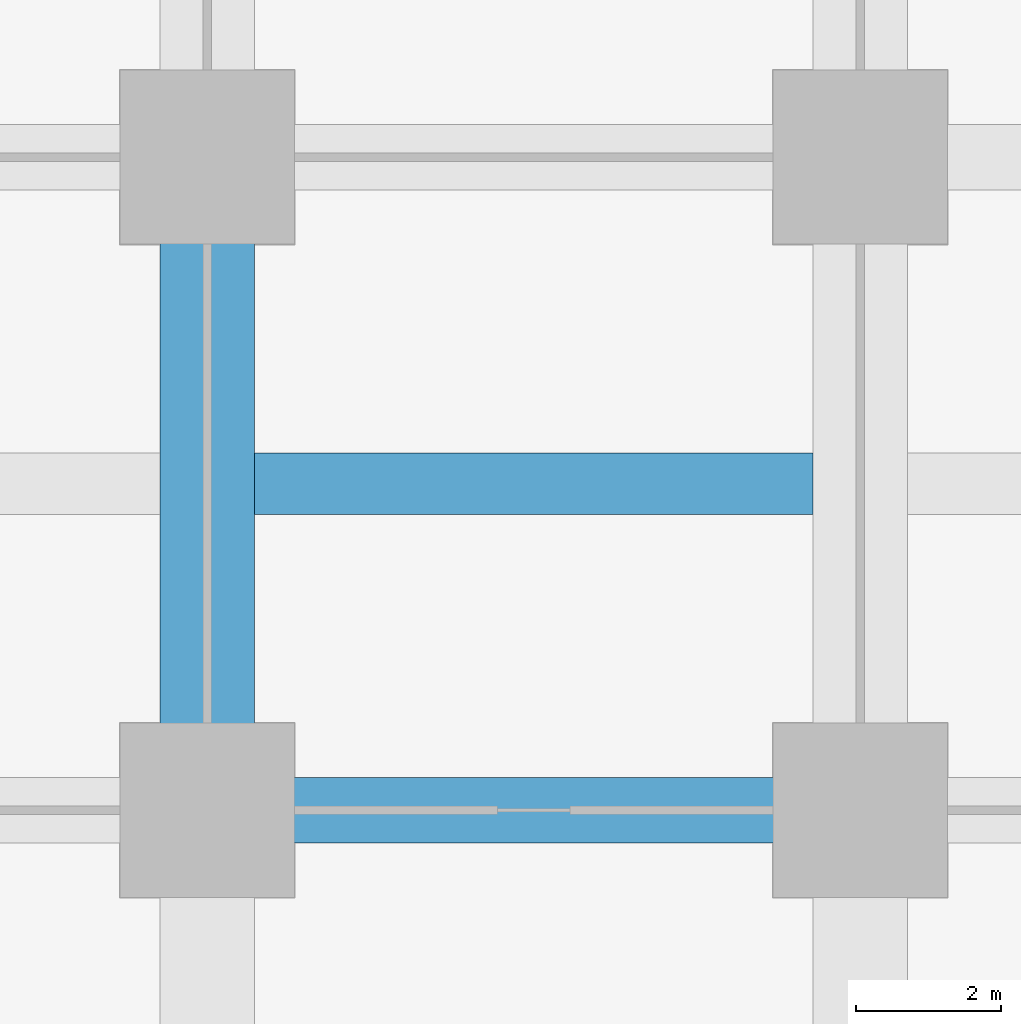
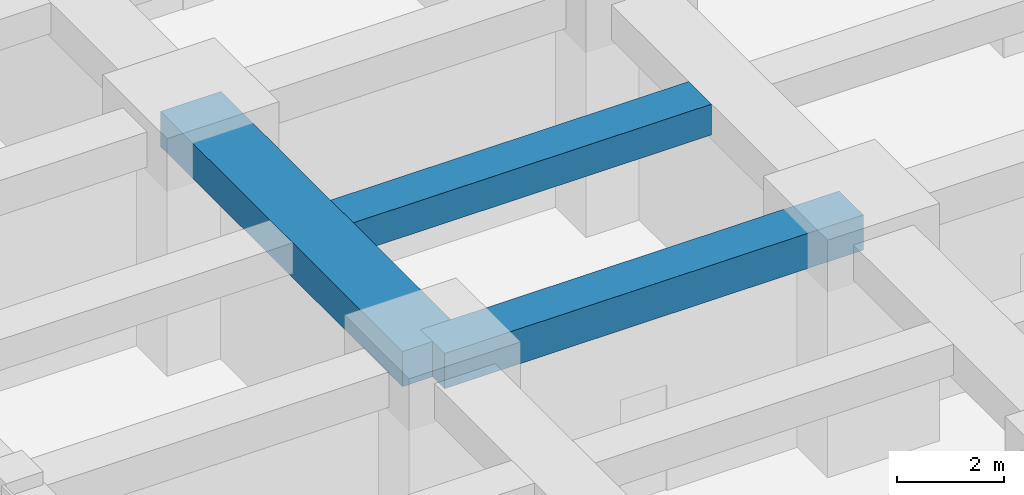
# One storey, part 10 of 56: 3 beams.
"""IFC4 building model written with IfcOpenShell, lengths in metres."""

from ifc_helpers import new_model, si_unit, direction, frame, origin, origin_2d, place, context, subcontext, project, spatial, rectangle, extrude, material, material_profile, profile_set, type_object, element, save


model = new_model("IFC4")

# Units and contexts
model_context = context("Model", 3, precision=1e-05, world=origin(), true_north=direction((0.0, 1.0)))
body_context = subcontext(model_context, "Body", "Model", "MODEL_VIEW")
ifc_project = project(units=[si_unit("LENGTHUNIT", "METRE"), si_unit("AREAUNIT", "SQUARE_METRE"), si_unit("VOLUMEUNIT", "CUBIC_METRE"), si_unit("PLANEANGLEUNIT", "RADIAN"), si_unit("MASSUNIT", "GRAM", prefix="KILO")], contexts=[model_context])

# Site, building, storey
site_placement = place(None, origin())
site = spatial("IfcSite", under=ifc_project, at=site_placement, CompositionType="ELEMENT")
building_placement = place(site_placement, origin())
building = spatial("IfcBuilding", under=site, at=building_placement, Name="Zorevar Civic Tower", CompositionType="ELEMENT")
storey_placement = place(building_placement, origin())
storey = spatial("IfcBuildingStorey", under=building, at=storey_placement, Name="L00", CompositionType="ELEMENT", Elevation=0.0)

# Beams
ifc_material_1 = material(Name="Concrete C50/60", Category="concrete")
ifc_material_profile_1 = material_profile(ifc_material_1, rectangle(XDim=1.300048828125, YDim=0.800048828125, at=origin_2d()), Name="RC 1300x800")
ifc_profile_set_1 = profile_set([ifc_material_profile_1], Name="Concrete C50/60")
beam_type_1 = type_object("IfcBeamType", Name="Beam RC 1300x800", PredefinedType="BEAM", material=ifc_profile_set_1)
beam_1_placement = place(storey_placement, frame((0.0, 18.0, 4.699951171875), z_axis=(0.0, 1.0, 0.0), x_axis=(-1.0, 0.0, 0.0)))
element("IfcBeam", 1, at=beam_1_placement, inside=storey, type_object=beam_type_1, Name="Girder L01", PredefinedType="BEAM", context=body_context, shape_type="SweptSolid", body=[
    extrude(rectangle(XDim=1.300048828125, YDim=0.800048828125, at=origin_2d()), origin(), (0.0, 0.0, 1.0), 9.0),
])
ifc_material_2 = material(Name="Concrete C50/60", Category="concrete")
ifc_material_profile_2 = material_profile(ifc_material_2, rectangle(XDim=0.85009765625, YDim=0.699951171875, at=origin_2d()), Name="RC 850x700")
ifc_profile_set_2 = profile_set([ifc_material_profile_2], Name="Concrete C50/60")
beam_type_2 = type_object("IfcBeamType", Name="Beam RC 850x700", PredefinedType="BEAM", material=ifc_profile_set_2)
beam_2_placement = place(storey_placement, frame((0.64990234375, 22.5, 4.75), z_axis=(1.0, 0.0, 0.0), x_axis=(0.0, 1.0, 0.0)))
element("IfcBeam", 2, at=beam_2_placement, inside=storey, type_object=beam_type_2, Name="Secondary beam L01", PredefinedType="BEAM", context=body_context, shape_type="SweptSolid", body=[
    extrude(rectangle(XDim=0.85009765625, YDim=0.699951171875, at=origin_2d()), origin(), (0.0, 0.0, 1.0), 7.7001953125),
])
ifc_material_3 = material(Name="Concrete C50/60", Category="concrete")
ifc_material_profile_3 = material_profile(ifc_material_3, rectangle(XDim=0.89990234375, YDim=0.800048828125, at=origin_2d()), Name="RC 900x800")
ifc_profile_set_3 = profile_set([ifc_material_profile_3], Name="Concrete C50/60")
beam_type_3 = type_object("IfcBeamType", Name="Beam RC 900x800", PredefinedType="BEAM", material=ifc_profile_set_3)
beam_3_placement = place(storey_placement, frame((0.0, 18.0, 4.699951171875), z_axis=(1.0, 0.0, 0.0), x_axis=(0.0, 1.0, 0.0)))
element("IfcBeam", 3, at=beam_3_placement, inside=storey, type_object=beam_type_3, Name="Girder L01", PredefinedType="BEAM", context=body_context, shape_type="SweptSolid", body=[
    extrude(rectangle(XDim=0.89990234375, YDim=0.800048828125, at=origin_2d()), origin(), (0.0, 0.0, 1.0), 9.0),
])

save(model, "model.ifc")
